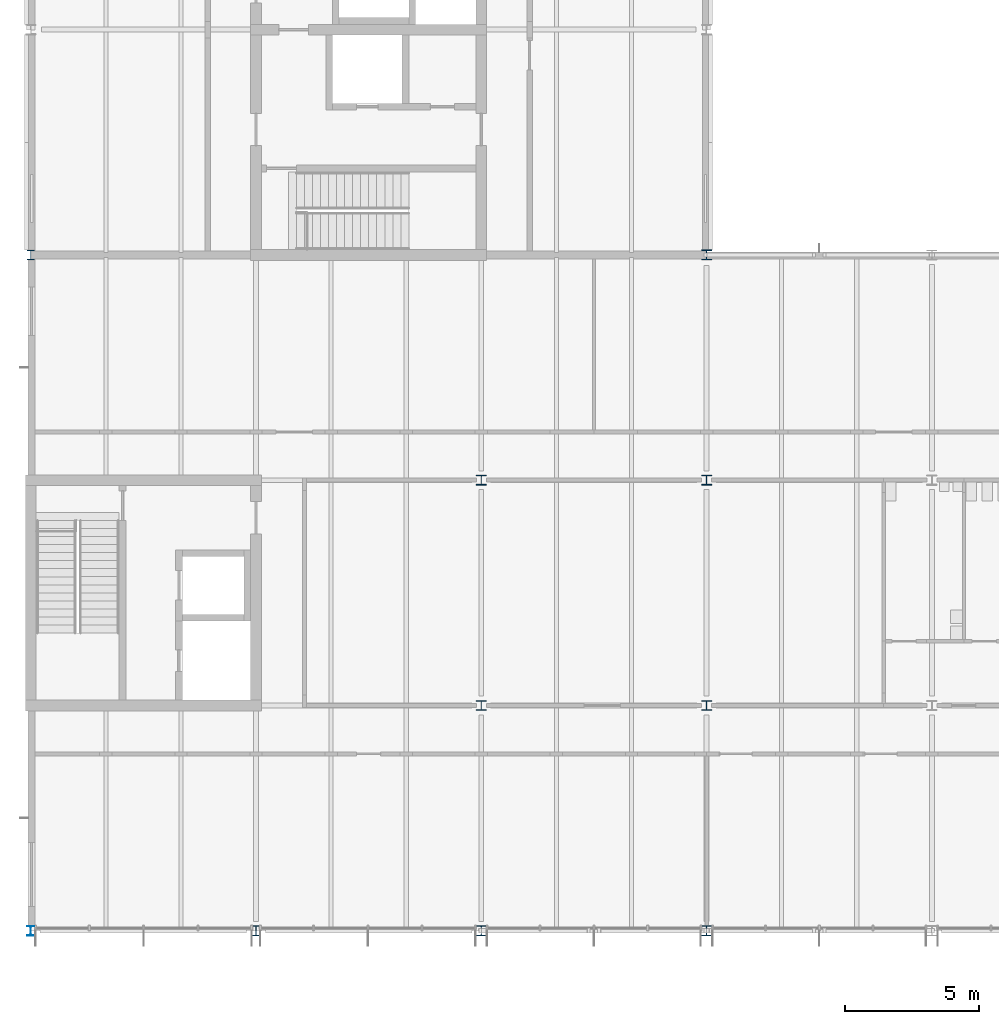
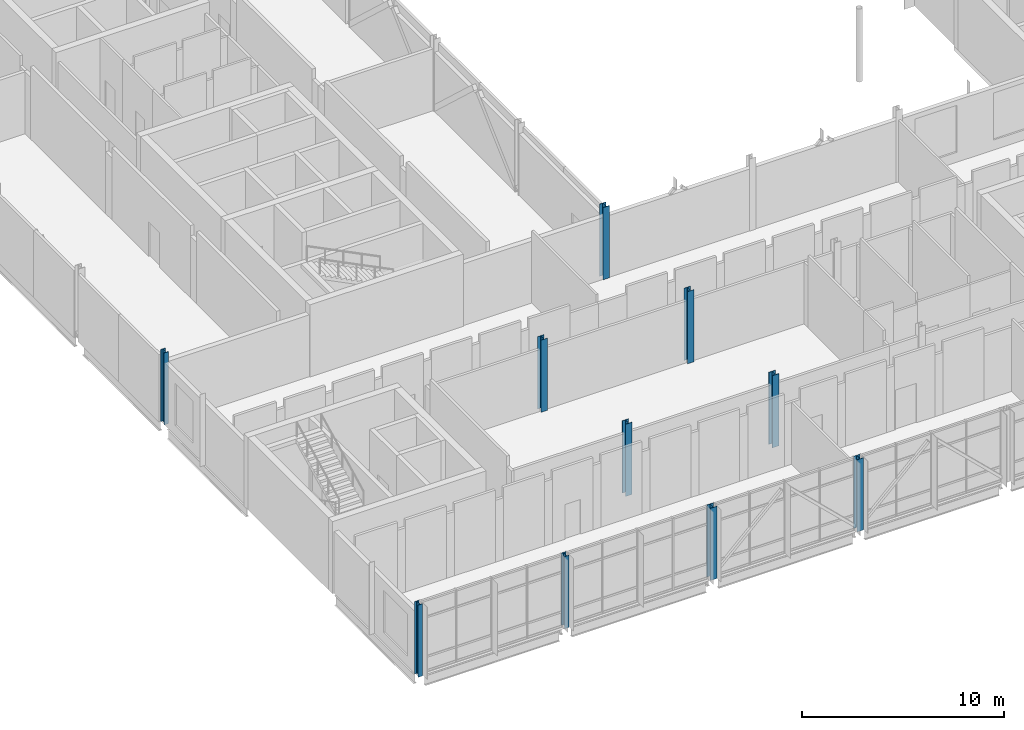
# One storey, part 1 of 89: 10 columns.
"""IFC4 building model written with IfcOpenShell, lengths in metres."""

from ifc_helpers import new_model, si_unit, direction, frame, origin, origin_2d, place, context, subcontext, project, spatial, i_section, extrude, material, material_profile, profile_set, type_object, element, save


model = new_model("IFC4")

# Units and contexts
model_context = context("Model", 3, precision=1e-05, world=origin(), true_north=direction((0.0, 1.0)))
body_context = subcontext(model_context, "Body", "Model", "MODEL_VIEW")
ifc_project = project(units=[si_unit("LENGTHUNIT", "METRE"), si_unit("AREAUNIT", "SQUARE_METRE"), si_unit("VOLUMEUNIT", "CUBIC_METRE"), si_unit("PLANEANGLEUNIT", "RADIAN"), si_unit("MASSUNIT", "GRAM", prefix="KILO")], contexts=[model_context])

# Site, building, storey
site_placement = place(None, origin())
site = spatial("IfcSite", under=ifc_project, at=site_placement, CompositionType="ELEMENT")
building_placement = place(site_placement, origin())
building = spatial("IfcBuilding", under=site, at=building_placement, Name="Hlaing Beacon Police Headquarters", CompositionType="ELEMENT")
storey_placement = place(building_placement, frame((0.0, 0.0, 9.89990234375)))
storey = spatial("IfcBuildingStorey", under=building, at=storey_placement, Name="L02", CompositionType="ELEMENT", Elevation=9.89990234375)

# Columns
ifc_material_1 = material(Name="Steel ASTM A992 Grade 50", Category="steel")
ifc_material_profile_1 = material_profile(ifc_material_1, i_section(OverallWidth=0.370849609375, OverallDepth=0.36328125, WebThickness=0.013427734375, FlangeThickness=0.021728515625, FilletRadius=0.01513671875, at=origin_2d()), Name="W14x109")
ifc_profile_set_1 = profile_set([ifc_material_profile_1], Name="Steel ASTM A992 Grade 50")
column_type_1 = type_object("IfcColumnType", Name="Steel column W14x109", PredefinedType="COLUMN", material=ifc_profile_set_1)
for number, where, z_axis, x_axis, name in (
    (1, (25.199951171875, 16.800048828125, 0.0), (0.0, 0.0, 1.0), (1.0, 0.0, 0.0), "STR-COL-L02-D3"),
    (2, (25.199951171875, 25.199951171875, 0.0), (0.0, 0.0, 1.0), (1.0, 0.0, 0.0), "STR-COL-L02-D4"),
    (3, (33.60009765625, 16.800048828125, 0.0), (0.0, 0.0, 1.0), (1.0, 0.0, 0.0), "STR-COL-L02-E3"),
    (4, (33.60009765625, 25.199951171875, 0.0), (0.0, 0.0, 1.0), (1.0, 0.0, 0.0), "STR-COL-L02-E4"),
):
    element("IfcColumn", number, at=place(storey_placement, frame(where, z_axis=z_axis, x_axis=x_axis)), inside=storey, type_object=column_type_1, Name=name, PredefinedType="COLUMN", context=body_context, shape_type="SweptSolid", body=[
        extrude(i_section(OverallWidth=0.370849609375, OverallDepth=0.36328125, WebThickness=0.013427734375, FlangeThickness=0.021728515625, FilletRadius=0.01513671875, at=origin_2d()), origin(), (0.0, 0.0, 1.0), 4.3701171875),
    ])
ifc_material_2 = material(Name="Steel ASTM A992 Grade 50", Category="steel")
ifc_material_profile_2 = material_profile(ifc_material_2, i_section(OverallWidth=0.373291015625, OverallDepth=0.373291015625, WebThickness=0.016357421875, FlangeThickness=0.026123046875, FilletRadius=0.01513671875, at=origin_2d()), Name="W14x132")
ifc_profile_set_2 = profile_set([ifc_material_profile_2], Name="Steel ASTM A992 Grade 50")
column_type_2 = type_object("IfcColumnType", Name="Steel column W14x132", PredefinedType="COLUMN", material=ifc_profile_set_2)
column_1_placement = place(storey_placement, frame((33.60009765625, 33.60009765625, 0.0), z_axis=(0.0, 0.0, 1.0), x_axis=(1.0, 0.0, 0.0)))
element("IfcColumn", 5, at=column_1_placement, inside=storey, type_object=column_type_2, Name="STR-COL-L02-E5", PredefinedType="COLUMN", context=body_context, shape_type="SweptSolid", body=[
    extrude(i_section(OverallWidth=0.373291015625, OverallDepth=0.373291015625, WebThickness=0.016357421875, FlangeThickness=0.026123046875, FilletRadius=0.01513671875, at=origin_2d()), origin(), (0.0, 0.0, 1.0), 4.3701171875),
])
ifc_material_3 = material(Name="Steel ASTM A992 Grade 50", Category="steel")
ifc_material_profile_3 = material_profile(ifc_material_3, i_section(OverallWidth=0.25390625, OverallDepth=0.35302734375, WebThickness=0.009521484375, FlangeThickness=0.016357421875, FilletRadius=0.01513671875, at=origin_2d()), Name="W14x61")
ifc_profile_set_3 = profile_set([ifc_material_profile_3], Name="Steel ASTM A992 Grade 50")
column_type_3 = type_object("IfcColumnType", Name="Steel column W14x61", PredefinedType="COLUMN", material=ifc_profile_set_3)
column_2_placement = place(storey_placement, frame((8.39990234375, 8.39990234375, 0.0), z_axis=(0.0, 0.0, 1.0), x_axis=(1.0, 0.0, 0.0)))
element("IfcColumn", 6, at=column_2_placement, inside=storey, type_object=column_type_3, Name="STR-COL-L02-B2", PredefinedType="COLUMN", context=body_context, shape_type="SweptSolid", body=[
    extrude(i_section(OverallWidth=0.25390625, OverallDepth=0.35302734375, WebThickness=0.009521484375, FlangeThickness=0.016357421875, FilletRadius=0.01513671875, at=origin_2d()), origin(), (0.0, 0.0, 1.0), 4.3701171875),
])
ifc_material_4 = material(Name="Steel ASTM A992 Grade 50", Category="steel")
ifc_material_profile_4 = material_profile(ifc_material_4, i_section(OverallWidth=0.256591796875, OverallDepth=0.360595703125, WebThickness=0.011474609375, FlangeThickness=0.02001953125, FilletRadius=0.01513671875, at=origin_2d()), Name="W14x74")
ifc_profile_set_4 = profile_set([ifc_material_profile_4], Name="Steel ASTM A992 Grade 50")
column_type_4 = type_object("IfcColumnType", Name="Steel column W14x74", PredefinedType="COLUMN", material=ifc_profile_set_4)
for number, where, z_axis, x_axis, name in (
    (7, (8.39990234375, 33.60009765625, 0.0), (0.0, 0.0, 1.0), (1.0, 0.0, 0.0), "STR-COL-L02-B5"),
    (8, (16.800048828125, 8.39990234375, 0.0), (0.0, 0.0, 1.0), (1.0, 0.0, 0.0), "STR-COL-L02-C2"),
):
    element("IfcColumn", number, at=place(storey_placement, frame(where, z_axis=z_axis, x_axis=x_axis)), inside=storey, type_object=column_type_4, Name=name, PredefinedType="COLUMN", context=body_context, shape_type="SweptSolid", body=[
        extrude(i_section(OverallWidth=0.256591796875, OverallDepth=0.360595703125, WebThickness=0.011474609375, FlangeThickness=0.02001953125, FilletRadius=0.01513671875, at=origin_2d()), origin(), (0.0, 0.0, 1.0), 4.3701171875),
    ])
ifc_material_5 = material(Name="Steel ASTM A992 Grade 50", Category="steel")
ifc_material_profile_5 = material_profile(ifc_material_5, i_section(OverallWidth=0.370849609375, OverallDepth=0.360595703125, WebThickness=0.01220703125, FlangeThickness=0.019775390625, FilletRadius=0.01513671875, at=origin_2d()), Name="W14x99")
ifc_profile_set_5 = profile_set([ifc_material_profile_5], Name="Steel ASTM A992 Grade 50")
column_type_5 = type_object("IfcColumnType", Name="Steel column W14x99", PredefinedType="COLUMN", material=ifc_profile_set_5)
for number, where, z_axis, x_axis, name in (
    (9, (25.199951171875, 8.39990234375, 0.0), (0.0, 0.0, 1.0), (1.0, 0.0, 0.0), "STR-COL-L02-D2"),
    (10, (33.60009765625, 8.39990234375, 0.0), (0.0, 0.0, 1.0), (1.0, 0.0, 0.0), "STR-COL-L02-E2"),
):
    element("IfcColumn", number, at=place(storey_placement, frame(where, z_axis=z_axis, x_axis=x_axis)), inside=storey, type_object=column_type_5, Name=name, PredefinedType="COLUMN", context=body_context, shape_type="SweptSolid", body=[
        extrude(i_section(OverallWidth=0.370849609375, OverallDepth=0.360595703125, WebThickness=0.01220703125, FlangeThickness=0.019775390625, FilletRadius=0.01513671875, at=origin_2d()), origin(), (0.0, 0.0, 1.0), 4.3701171875),
    ])

save(model, "model.ifc")
